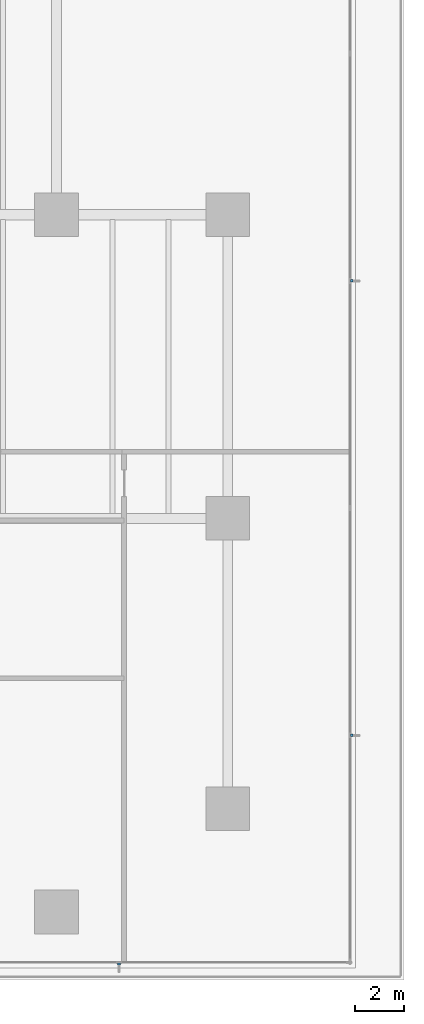
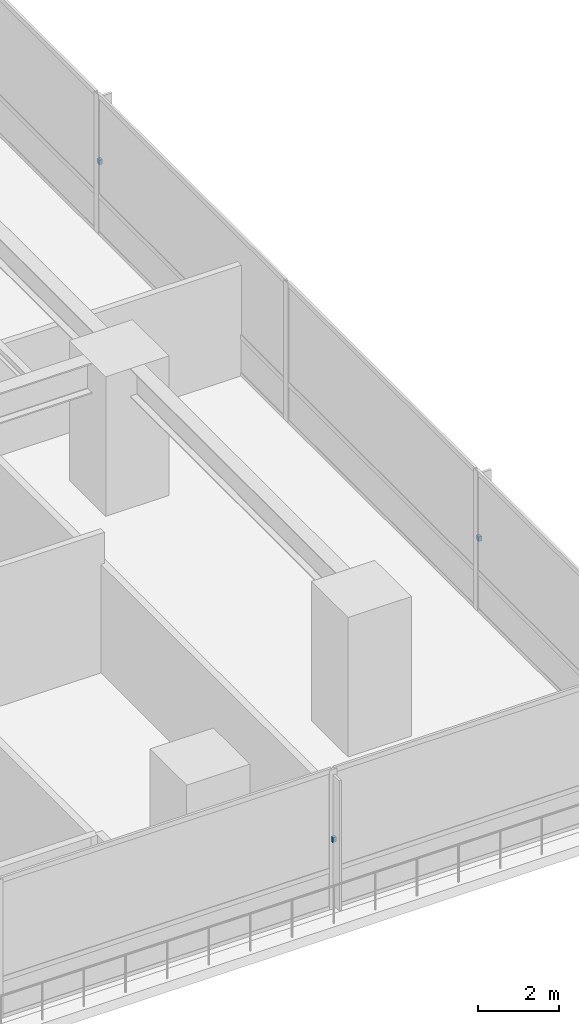
# One storey, part 12 of 21: 3 discrete accessories.
"""IFC4 building model written with IfcOpenShell, lengths in metres."""

from ifc_helpers import new_model, si_unit, direction, frame, origin, place, context, subcontext, project, spatial, polyline, outline, extrude, material, type_object, element, save


model = new_model("IFC4")

# Units and contexts
model_context = context("Model", 3, precision=1e-05, world=origin(), true_north=direction((0.0, 1.0)))
body_context = subcontext(model_context, "Body", "Model", "MODEL_VIEW")
ifc_project = project(units=[si_unit("LENGTHUNIT", "METRE"), si_unit("AREAUNIT", "SQUARE_METRE"), si_unit("VOLUMEUNIT", "CUBIC_METRE"), si_unit("PLANEANGLEUNIT", "RADIAN"), si_unit("MASSUNIT", "GRAM", prefix="KILO")], contexts=[model_context])

# Site, building, storey
site_placement = place(None, origin())
site = spatial("IfcSite", under=ifc_project, at=site_placement, CompositionType="ELEMENT")
building_placement = place(site_placement, origin())
building = spatial("IfcBuilding", under=site, at=building_placement, Name="Qalmaran Belvedere Hotel", CompositionType="ELEMENT")
storey_placement = place(building_placement, frame((0.0, 0.0, 23.800048828125)))
storey = spatial("IfcBuildingStorey", under=building, at=storey_placement, Name="L05", CompositionType="ELEMENT", Elevation=23.800048828125)

# Discrete accessories
ifc_material = material(Name="Stainless Steel 1.4401", Category="steel")
discrete_accessory_type = type_object("IfcDiscreteAccessoryType", Name="BRK-FIN-SS316", PredefinedType="BRACKET", material=ifc_material)
discrete_accessory_1_placement = place(storey_placement, frame((0.0, 0.0, 2.050048828125)))
element("IfcDiscreteAccessory", 1, at=discrete_accessory_1_placement, inside=storey, type_object=discrete_accessory_type, Name="L05 Fin Bracket 5", PredefinedType="BRACKET", context=body_context, shape_type="SweptSolid", body=[
    extrude(outline(polyline([(56.215087890625, 2.205078125), (56.215087890625, 2.107421875), (56.324951171875, 2.107421875), (56.324951171875, 2.205078125), (56.215087890625, 2.205078125)])), origin(), (0.0, 0.0, 1.0), 0.139892578125),
])
discrete_accessory_2_placement = place(storey_placement, frame((0.0, 0.0, 2.050048828125)))
element("IfcDiscreteAccessory", 2, at=discrete_accessory_2_placement, inside=storey, type_object=discrete_accessory_type, Name="L05 Fin Bracket 1", PredefinedType="BRACKET", context=body_context, shape_type="SweptSolid", body=[
    extrude(outline(polyline([(65.794921875, 11.51708984375), (65.892578125, 11.51708984375), (65.892578125, 11.626953125), (65.794921875, 11.626953125), (65.794921875, 11.51708984375)])), origin(), (0.0, 0.0, 1.0), 0.139892578125),
])
discrete_accessory_3_placement = place(storey_placement, frame((0.0, 0.0, 2.050048828125)))
element("IfcDiscreteAccessory", 3, at=discrete_accessory_3_placement, inside=storey, type_object=discrete_accessory_type, Name="L05 Fin Bracket 3", PredefinedType="BRACKET", context=body_context, shape_type="SweptSolid", body=[
    extrude(outline(polyline([(65.794921875, 30.220947265625), (65.892578125, 30.220947265625), (65.892578125, 30.3310546875), (65.794921875, 30.3310546875), (65.794921875, 30.220947265625)])), origin(), (0.0, 0.0, 1.0), 0.139892578125),
])

save(model, "model.ifc")
